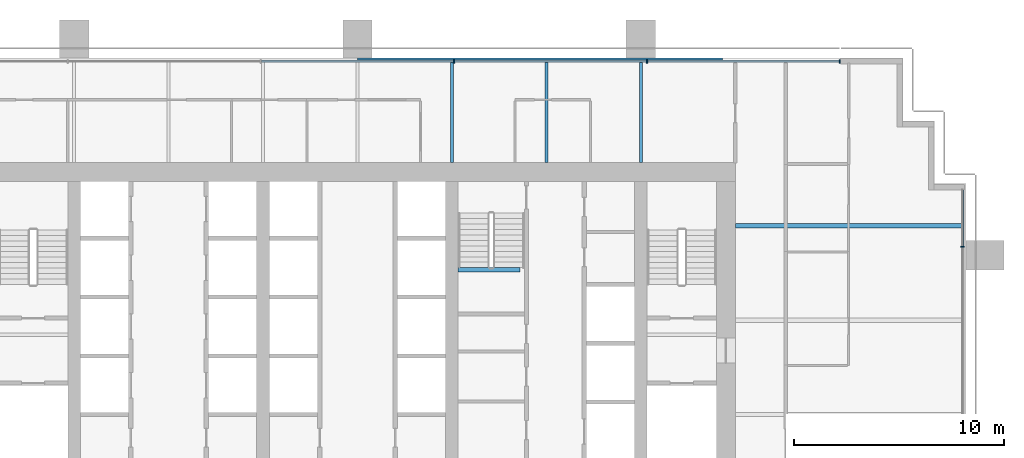
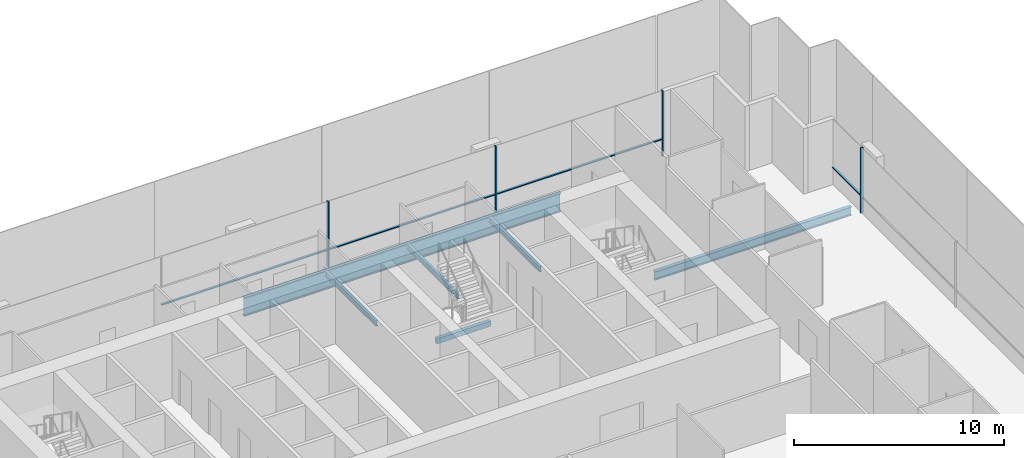
# One storey, part 8 of 17: 8 members, 6 beams, 2 elements without a shape of their own.
"""IFC4 building model written with IfcOpenShell, lengths in metres."""

from ifc_helpers import new_model, si_unit, direction, frame, origin, origin_2d, place, context, subcontext, project, spatial, rectangle, i_section, extrude, material, material_profile, profile_set, type_object, element, aggregate, save


model = new_model("IFC4")

# Units and contexts
model_context = context("Model", 3, precision=1e-05, world=origin(), true_north=direction((0.0, 1.0)))
body_context = subcontext(model_context, "Body", "Model", "MODEL_VIEW")
ifc_project = project(units=[si_unit("LENGTHUNIT", "METRE"), si_unit("AREAUNIT", "SQUARE_METRE"), si_unit("VOLUMEUNIT", "CUBIC_METRE"), si_unit("PLANEANGLEUNIT", "RADIAN"), si_unit("MASSUNIT", "GRAM", prefix="KILO")], contexts=[model_context])

# Site, building, storey
site_placement = place(None, origin())
site = spatial("IfcSite", under=ifc_project, at=site_placement, CompositionType="ELEMENT")
building_placement = place(site_placement, origin())
building = spatial("IfcBuilding", under=site, at=building_placement, Name="Rattan Terrace Tower", CompositionType="ELEMENT")
storey_placement = place(building_placement, frame((0.0, 0.0, 138.10009765625)))
storey = spatial("IfcBuildingStorey", under=building, at=storey_placement, Name="L31", CompositionType="ELEMENT", Elevation=138.10009765625)

# Beam
ifc_material_1 = material(Name="Concrete C40/50", Category="concrete")
ifc_material_profile_1 = material_profile(ifc_material_1, rectangle(XDim=0.199951171875, YDim=0.300048828125, at=origin_2d()), Name="RC 200x300")
ifc_profile_set_1 = profile_set([ifc_material_profile_1], Name="Concrete C40/50")
beam_type_1 = type_object("IfcBeamType", Name="Core landing beam RC 200x300", PredefinedType="BEAM", material=ifc_profile_set_1)
beam_1_placement = place(storey_placement, frame((4.800048828125, 2.39990234375, 1.64990234375), z_axis=(1.0, 0.0, 0.0), x_axis=(0.0, 1.0, 0.0)))
element("IfcBeam", 1, at=beam_1_placement, inside=storey, type_object=beam_type_1, Name="st-S3-L31 landing 1 edge beam", PredefinedType="BEAM", context=body_context, shape_type="SweptSolid", body=[
    extrude(rectangle(XDim=0.199951171875, YDim=0.300048828125, at=origin_2d()), origin(), (0.0, 0.0, 1.0), 2.949951171875),
])

# Curtain wall, member
ifc_material_2 = material(Name="Aluminium and glass", Category="aluminium")
curtain_wall_type = type_object("IfcCurtainWallType", Name="Facade Unitised Curtain Wall", PredefinedType="NOTDEFINED", material=ifc_material_2)
curtain_wall_1_placement = place(storey_placement, origin())
curtain_wall_1 = element("IfcCurtainWall", 2, at=curtain_wall_1_placement, inside=storey, type_object=curtain_wall_type, Name="Curtain wall L31-1", PredefinedType="NOTDEFINED")
ifc_material_3 = material(Name="Aluminium", Category="aluminium")
ifc_material_profile_2 = material_profile(ifc_material_3, rectangle(XDim=0.06005859375, YDim=0.159912109375, at=origin_2d()), Name="Aluminium 60x160")
ifc_profile_set_2 = profile_set([ifc_material_profile_2], Name="Aluminium")
member_type_1 = type_object("IfcMemberType", Name="Facade CW Mullion 60x160", PredefinedType="MULLION", material=ifc_profile_set_2)
member_1_placement = place(storey_placement, frame((28.830078125, 3.5, 0.0), z_axis=(0.0, 0.0, 1.0), x_axis=(0.0, 1.0, 0.0)))
member_1 = element("IfcMember", 3, at=member_1_placement, type_object=member_type_1, Name="Mullion cwl-L31-001.4", PredefinedType="MULLION", context=body_context, shape_type="SweptSolid", body=[
    extrude(rectangle(XDim=0.06005859375, YDim=0.159912109375, at=origin_2d()), origin(), (0.0, 0.0, 1.0), 3.7998046875),
])

# Curtain wall, members
curtain_wall_2_placement = place(storey_placement, origin())
curtain_wall_2 = element("IfcCurtainWall", 4, at=curtain_wall_2_placement, inside=storey, type_object=curtain_wall_type, Name="Curtain wall L31-2", PredefinedType="NOTDEFINED")
member_2_placement = place(storey_placement, frame((22.969970703125, 12.330078125, 0.0), z_axis=(0.0, 0.0, 1.0), x_axis=(-1.0, 0.0, 0.0)))
member_2 = element("IfcMember", 5, at=member_2_placement, type_object=member_type_1, Name="Mullion cwl-L31-002.1", PredefinedType="MULLION", context=body_context, shape_type="SweptSolid", body=[
    extrude(rectangle(XDim=0.06005859375, YDim=0.159912109375, at=origin_2d()), origin(), (0.0, 0.0, 1.0), 3.7998046875),
])
member_3_placement = place(storey_placement, frame((13.799072265625, 12.330078125, 0.0), z_axis=(0.0, 0.0, 1.0), x_axis=(-1.0, 0.0, 0.0)))
member_3 = element("IfcMember", 6, at=member_3_placement, type_object=member_type_1, Name="Mullion cwl-L31-002.2", PredefinedType="MULLION", context=body_context, shape_type="SweptSolid", body=[
    extrude(rectangle(XDim=0.06005859375, YDim=0.159912109375, at=origin_2d()), origin(), (0.0, 0.0, 1.0), 3.7998046875),
])
member_4_placement = place(storey_placement, frame((4.597900390625, 12.330078125, 0.0), z_axis=(0.0, 0.0, 1.0), x_axis=(-1.0, 0.0, 0.0)))
member_4 = element("IfcMember", 7, at=member_4_placement, type_object=member_type_1, Name="Mullion cwl-L31-002.3", PredefinedType="MULLION", context=body_context, shape_type="SweptSolid", body=[
    extrude(rectangle(XDim=0.06005859375, YDim=0.159912109375, at=origin_2d()), origin(), (0.0, 0.0, 1.0), 3.7998046875),
])

# Member
ifc_material_4 = material(Name="Aluminium", Category="aluminium")
ifc_material_profile_3 = material_profile(ifc_material_4, rectangle(XDim=0.1201171875, YDim=0.06005859375, at=origin_2d()), Name="Aluminium 120x60")
ifc_profile_set_3 = profile_set([ifc_material_profile_3], Name="Aluminium")
member_type_2 = type_object("IfcMemberType", Name="Facade CW Transom 120x60", PredefinedType="USERDEFINED", material=ifc_profile_set_3)
member_5_placement = place(storey_placement, frame((28.830078125, 3.530029296875, 1.0), z_axis=(0.0, 1.0, 0.0), x_axis=(-1.0, 0.0, 0.0)))
member_5 = element("IfcMember", 8, at=member_5_placement, type_object=member_type_2, Name="Transom cwl-L31-001.4", ObjectType="TRANSOM", PredefinedType="USERDEFINED", context=body_context, shape_type="SweptSolid", body=[
    extrude(rectangle(XDim=0.1201171875, YDim=0.06005859375, at=origin_2d()), origin(), (0.0, 0.0, 1.0), 2.675048828125),
])

aggregate(curtain_wall_1, [member_1, member_5])

member_6_placement = place(storey_placement, frame((22.93994140625, 12.330078125, 1.0), z_axis=(-1.0, 0.0, 0.0), x_axis=(0.0, -1.0, 0.0)))
member_6 = element("IfcMember", 9, at=member_6_placement, type_object=member_type_2, Name="Transom cwl-L31-002.1", ObjectType="TRANSOM", PredefinedType="USERDEFINED", context=body_context, shape_type="SweptSolid", body=[
    extrude(rectangle(XDim=0.1201171875, YDim=0.06005859375, at=origin_2d()), origin(), (0.0, 0.0, 1.0), 9.11083984375),
])

member_7_placement = place(storey_placement, frame((13.76904296875, 12.330078125, 1.0), z_axis=(-1.0, 0.0, 0.0), x_axis=(0.0, -1.0, 0.0)))
member_7 = element("IfcMember", 10, at=member_7_placement, type_object=member_type_2, Name="Transom cwl-L31-002.2", ObjectType="TRANSOM", PredefinedType="USERDEFINED", context=body_context, shape_type="SweptSolid", body=[
    extrude(rectangle(XDim=0.1201171875, YDim=0.06005859375, at=origin_2d()), origin(), (0.0, 0.0, 1.0), 9.14111328125),
])

member_8_placement = place(storey_placement, frame((4.568115234375, 12.330078125, 1.0), z_axis=(-1.0, 0.0, 0.0), x_axis=(0.0, -1.0, 0.0)))
member_8 = element("IfcMember", 11, at=member_8_placement, type_object=member_type_2, Name="Transom cwl-L31-002.3", ObjectType="TRANSOM", PredefinedType="USERDEFINED", context=body_context, shape_type="SweptSolid", body=[
    extrude(rectangle(XDim=0.1201171875, YDim=0.06005859375, at=origin_2d()), origin(), (0.0, 0.0, 1.0), 9.14111328125),
])

aggregate(curtain_wall_2, [member_2, member_3, member_4, member_6, member_7, member_8])

# Beams
ifc_material_5 = material(Name="Steel S460", Category="steel")
ifc_material_profile_4 = material_profile(ifc_material_5, i_section(OverallWidth=0.179931640625, OverallDepth=1.10009765625, WebThickness=0.01611328125, FlangeThickness=0.050048828125, at=origin_2d()), Name="PG 1100x180-16-50")
ifc_profile_set_4 = profile_set([ifc_material_profile_4], Name="Steel S460")
beam_type_2 = type_object("IfcBeamType", Name="Frame edge girder PG 1100x180-16-50", PredefinedType="SPANDREL", material=ifc_profile_set_4)
beam_2_placement = place(storey_placement, frame((17.39990234375, 12.409912109375, -0.75), z_axis=(-1.0, 0.0, 0.0), x_axis=(0.0, -1.0, 0.0)))
element("IfcBeam", 12, at=beam_2_placement, inside=storey, type_object=beam_type_2, Name="gdr-L31-006", PredefinedType="SPANDREL", context=body_context, shape_type="SweptSolid", body=[
    extrude(i_section(OverallWidth=0.179931640625, OverallDepth=1.10009765625, WebThickness=0.01611328125, FlangeThickness=0.050048828125, at=origin_2d()), origin(), (0.0, 0.0, 1.0), 17.39990234375),
])
ifc_material_6 = material(Name="Steel S355", Category="steel")
ifc_material_profile_5 = material_profile(ifc_material_6, i_section(OverallWidth=0.14990234375, OverallDepth=0.300048828125, WebThickness=0.007080078125, FlangeThickness=0.0107421875, FilletRadius=0.014892578125, at=origin_2d()), Name="IPE 300")
ifc_profile_set_5 = profile_set([ifc_material_profile_5], Name="Steel S355")
beam_type_3 = type_object("IfcBeamType", Name="Frame floor beam IPE 300", PredefinedType="JOIST", material=ifc_profile_set_5)
for number, where, z_axis, x_axis, name in (
    (13, (4.5, 7.5, -0.35009765625), (0.0, 1.0, 0.0), (-1.0, 0.0, 0.0), "bm-L31-020"),
    (14, (9.0, 7.5, -0.35009765625), (0.0, 1.0, 0.0), (-1.0, 0.0, 0.0), "bm-L31-021"),
    (15, (13.5, 7.5, -0.35009765625), (0.0, 1.0, 0.0), (-1.0, 0.0, 0.0), "bm-L31-022"),
):
    element("IfcBeam", number, at=place(storey_placement, frame(where, z_axis=z_axis, x_axis=x_axis)), inside=storey, type_object=beam_type_3, Name=name, PredefinedType="JOIST", context=body_context, shape_type="SweptSolid", body=[
        extrude(i_section(OverallWidth=0.14990234375, OverallDepth=0.300048828125, WebThickness=0.007080078125, FlangeThickness=0.0107421875, FilletRadius=0.014892578125, at=origin_2d()), origin(), (0.0, 0.0, 1.0), 4.820068359375),
    ])
ifc_material_7 = material(Name="Steel S355", Category="steel")
ifc_material_profile_6 = material_profile(ifc_material_7, i_section(OverallWidth=0.199951171875, OverallDepth=0.5, WebThickness=0.01025390625, FlangeThickness=0.01611328125, FilletRadius=0.02099609375, at=origin_2d()), Name="IPE 500")
ifc_profile_set_6 = profile_set([ifc_material_profile_6], Name="Steel S355")
beam_type_4 = type_object("IfcBeamType", Name="Frame floor beam IPE 500", PredefinedType="JOIST", material=ifc_profile_set_6)
beam_3_placement = place(storey_placement, frame((18.0, 4.5, -0.4501953125), z_axis=(1.0, 0.0, 0.0), x_axis=(0.0, 1.0, 0.0)))
element("IfcBeam", 16, at=beam_3_placement, inside=storey, type_object=beam_type_4, Name="bm-L31-015", PredefinedType="JOIST", context=body_context, shape_type="SweptSolid", body=[
    extrude(i_section(OverallWidth=0.199951171875, OverallDepth=0.5, WebThickness=0.01025390625, FlangeThickness=0.01611328125, FilletRadius=0.02099609375, at=origin_2d()), origin(), (0.0, 0.0, 1.0), 10.820068359375),
])

save(model, "model.ifc")
